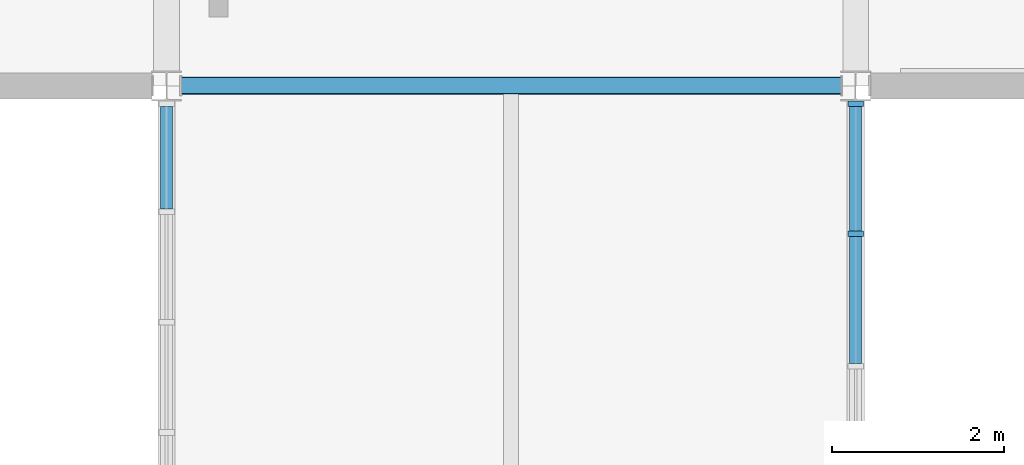
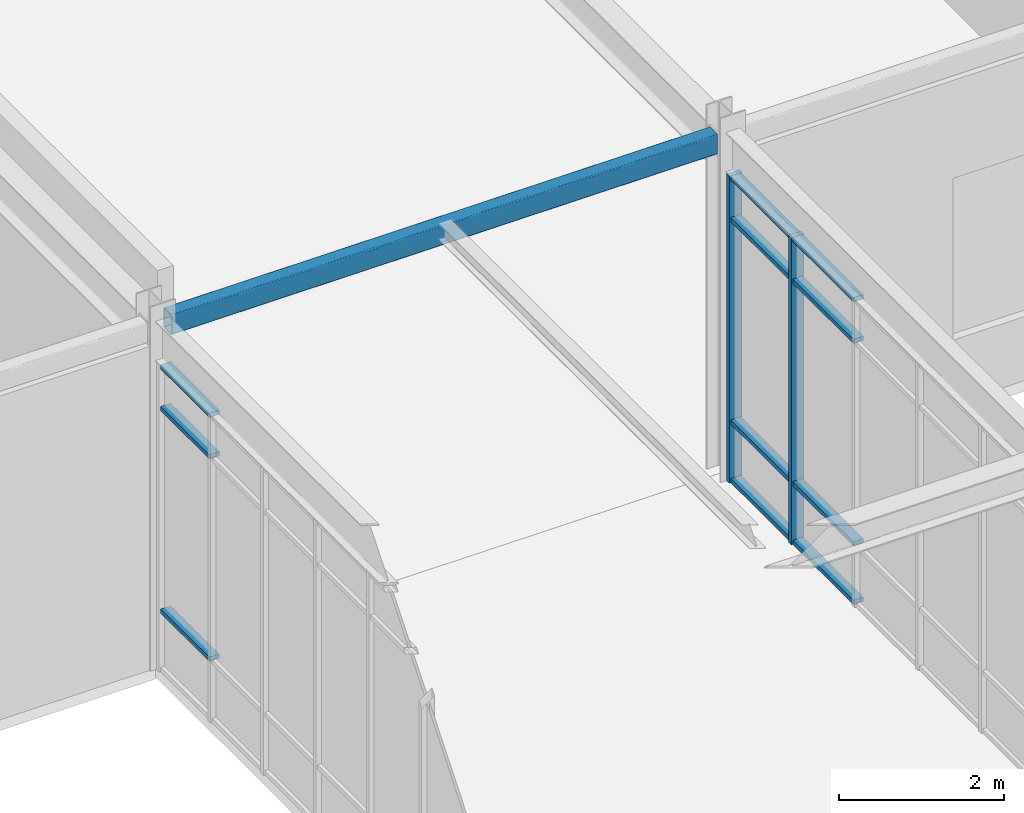
# One storey, part 60 of 184: 13 members, 1 beam, 2 elements without a shape of their own.
"""IFC4 building model written with IfcOpenShell, lengths in metres."""

from ifc_helpers import new_model, si_unit, direction, frame, origin, origin_2d, place, context, subcontext, project, spatial, rectangle, hollow_rectangle, extrude, material, material_profile, profile_set, type_object, element, aggregate, save


model = new_model("IFC4")

# Units and contexts
model_context = context("Model", 3, precision=1e-05, world=origin(), true_north=direction((0.0, 1.0)))
body_context = subcontext(model_context, "Body", "Model", "MODEL_VIEW")
ifc_project = project(units=[si_unit("LENGTHUNIT", "METRE"), si_unit("AREAUNIT", "SQUARE_METRE"), si_unit("VOLUMEUNIT", "CUBIC_METRE"), si_unit("PLANEANGLEUNIT", "RADIAN"), si_unit("MASSUNIT", "GRAM", prefix="KILO")], contexts=[model_context])

# Site, building, storey
site_placement = place(None, origin())
site = spatial("IfcSite", under=ifc_project, at=site_placement, CompositionType="ELEMENT")
building_placement = place(site_placement, origin())
building = spatial("IfcBuilding", under=site, at=building_placement, Name="Zhaolan Boulevard Law Courts", CompositionType="ELEMENT")
storey_placement = place(building_placement, frame((0.0, 0.0, 5.39990234375)))
storey = spatial("IfcBuildingStorey", under=building, at=storey_placement, Name="L01", CompositionType="ELEMENT", Elevation=5.39990234375)

# Curtain wall, members
ifc_material_1 = material(Name="Thermally broken aluminium and low-E glazing", Category="aluminium")
curtain_wall_type_1 = type_object("IfcCurtainWallType", Name="CURTAIN WALL M9", PredefinedType="USERDEFINED", material=ifc_material_1)
curtain_wall_1_placement = place(storey_placement, origin())
curtain_wall_1 = element("IfcCurtainWall", 1, at=curtain_wall_1_placement, inside=storey, type_object=curtain_wall_type_1, Name="Curtain Wall CW-L01-081", ObjectType="CURTAIN WALL", PredefinedType="USERDEFINED")
ifc_material_2 = material(Name="Fluorocarbon-coated aluminium 6063-T6", Category="aluminium")
ifc_material_profile_1 = material_profile(ifc_material_2, rectangle(XDim=0.179931640625, YDim=0.06494140625, at=origin_2d()), Name="AL65x180")
ifc_profile_set_1 = profile_set([ifc_material_profile_1], Name="Fluorocarbon-coated aluminium 6063-T6")
member_type_1 = type_object("IfcMemberType", Name="CWMULLION 65X180", PredefinedType="MULLION", material=ifc_profile_set_1)
member_1_placement = place(storey_placement, frame((124.0, 60.28369140625, 0.0), z_axis=(0.0, 0.0, 1.0), x_axis=(-1.0, 0.0, 0.0)))
member_1 = element("IfcMember", 2, at=member_1_placement, type_object=member_type_1, Name="CW-L01-081 mullion 5", PredefinedType="MULLION", context=body_context, shape_type="SweptSolid", body=[
    extrude(rectangle(XDim=0.179931640625, YDim=0.06494140625, at=origin_2d()), origin(), (0.0, 0.0, 1.0), 4.552978515625),
])
member_2_placement = place(storey_placement, frame((124.0, 61.79052734375, 0.0), z_axis=(0.0, 0.0, 1.0), x_axis=(-1.0, 0.0, 0.0)))
member_2 = element("IfcMember", 3, at=member_2_placement, type_object=member_type_1, Name="CW-L01-081 mullion 6", PredefinedType="MULLION", context=body_context, shape_type="SweptSolid", body=[
    extrude(rectangle(XDim=0.179931640625, YDim=0.06494140625, at=origin_2d()), origin(), (0.0, 0.0, 1.0), 4.552978515625),
])

ifc_material_3 = material(Name="Thermally broken aluminium and low-E glazing", Category="aluminium")
curtain_wall_type_2 = type_object("IfcCurtainWallType", Name="CURTAIN WALL M5", PredefinedType="USERDEFINED", material=ifc_material_3)
curtain_wall_2_placement = place(storey_placement, origin())
curtain_wall_2 = element("IfcCurtainWall", 4, at=curtain_wall_2_placement, inside=storey, type_object=curtain_wall_type_2, Name="Curtain Wall CW-L01-077", ObjectType="CURTAIN WALL", PredefinedType="USERDEFINED")
ifc_material_4 = material(Name="Fluorocarbon-coated aluminium 6063-T6", Category="aluminium")
ifc_material_profile_2 = material_profile(ifc_material_4, rectangle(XDim=0.139892578125, YDim=0.06494140625, at=origin_2d()), Name="AL65x140")
ifc_profile_set_2 = profile_set([ifc_material_profile_2], Name="Fluorocarbon-coated aluminium 6063-T6")
member_type_2 = type_object("IfcMemberType", Name="CWTRANSOM 65X140", PredefinedType="USERDEFINED", material=ifc_profile_set_2)
member_3_placement = place(storey_placement, frame((116.0, 61.758056640625, 0.900146484375), z_axis=(0.0, -1.0, 0.0), x_axis=(1.0, 0.0, 0.0)))
member_3 = element("IfcMember", 5, at=member_3_placement, type_object=member_type_2, Name="CW-L01-077 transom 1.2", ObjectType="TRANSOM", PredefinedType="USERDEFINED", context=body_context, shape_type="SweptSolid", body=[
    extrude(rectangle(XDim=0.139892578125, YDim=0.06494140625, at=origin_2d()), origin(), (0.0, 0.0, 1.0), 1.185302734375),
])
member_4_placement = place(storey_placement, frame((116.0, 61.758056640625, 3.903076171875), z_axis=(0.0, -1.0, 0.0), x_axis=(1.0, 0.0, 0.0)))
member_4 = element("IfcMember", 6, at=member_4_placement, type_object=member_type_2, Name="CW-L01-077 transom 1.3", ObjectType="TRANSOM", PredefinedType="USERDEFINED", context=body_context, shape_type="SweptSolid", body=[
    extrude(rectangle(XDim=0.139892578125, YDim=0.06494140625, at=origin_2d()), origin(), (0.0, 0.0, 1.0), 1.185302734375),
])
member_5_placement = place(storey_placement, frame((116.0, 61.758056640625, 4.5205078125), z_axis=(0.0, -1.0, 0.0), x_axis=(1.0, 0.0, 0.0)))
member_5 = element("IfcMember", 7, at=member_5_placement, type_object=member_type_2, Name="CW-L01-077 transom 1.4", ObjectType="TRANSOM", PredefinedType="USERDEFINED", context=body_context, shape_type="SweptSolid", body=[
    extrude(rectangle(XDim=0.139892578125, YDim=0.06494140625, at=origin_2d()), origin(), (0.0, 0.0, 1.0), 1.185302734375),
])
aggregate(curtain_wall_2, [member_3, member_4, member_5])

# Member
member_6_placement = place(storey_placement, frame((124.0, 58.777099609375, 0.03271484375), z_axis=(0.0, 1.0, 0.0), x_axis=(-1.0, 0.0, 0.0)))
member_6 = element("IfcMember", 8, at=member_6_placement, type_object=member_type_2, Name="CW-L01-081 transom 4.1", ObjectType="TRANSOM", PredefinedType="USERDEFINED", context=body_context, shape_type="SweptSolid", body=[
    extrude(rectangle(XDim=0.139892578125, YDim=0.06494140625, at=origin_2d()), origin(), (0.0, 0.0, 1.0), 1.47412109375),
])

member_7_placement = place(storey_placement, frame((124.0, 58.777099609375, 0.900146484375), z_axis=(0.0, 1.0, 0.0), x_axis=(-1.0, 0.0, 0.0)))
member_7 = element("IfcMember", 9, at=member_7_placement, type_object=member_type_2, Name="CW-L01-081 transom 4.2", ObjectType="TRANSOM", PredefinedType="USERDEFINED", context=body_context, shape_type="SweptSolid", body=[
    extrude(rectangle(XDim=0.139892578125, YDim=0.06494140625, at=origin_2d()), origin(), (0.0, 0.0, 1.0), 1.47412109375),
])

member_8_placement = place(storey_placement, frame((124.0, 58.777099609375, 3.903076171875), z_axis=(0.0, 1.0, 0.0), x_axis=(-1.0, 0.0, 0.0)))
member_8 = element("IfcMember", 10, at=member_8_placement, type_object=member_type_2, Name="CW-L01-081 transom 4.3", ObjectType="TRANSOM", PredefinedType="USERDEFINED", context=body_context, shape_type="SweptSolid", body=[
    extrude(rectangle(XDim=0.139892578125, YDim=0.06494140625, at=origin_2d()), origin(), (0.0, 0.0, 1.0), 1.47412109375),
])

member_9_placement = place(storey_placement, frame((124.0, 58.777099609375, 4.5205078125), z_axis=(0.0, 1.0, 0.0), x_axis=(-1.0, 0.0, 0.0)))
member_9 = element("IfcMember", 11, at=member_9_placement, type_object=member_type_2, Name="CW-L01-081 transom 4.4", ObjectType="TRANSOM", PredefinedType="USERDEFINED", context=body_context, shape_type="SweptSolid", body=[
    extrude(rectangle(XDim=0.139892578125, YDim=0.06494140625, at=origin_2d()), origin(), (0.0, 0.0, 1.0), 1.47412109375),
])

member_10_placement = place(storey_placement, frame((124.0, 60.31640625, 0.03271484375), z_axis=(0.0, 1.0, 0.0), x_axis=(-1.0, 0.0, 0.0)))
member_10 = element("IfcMember", 12, at=member_10_placement, type_object=member_type_2, Name="CW-L01-081 transom 5.1", ObjectType="TRANSOM", PredefinedType="USERDEFINED", context=body_context, shape_type="SweptSolid", body=[
    extrude(rectangle(XDim=0.139892578125, YDim=0.06494140625, at=origin_2d()), origin(), (0.0, 0.0, 1.0), 1.441650390625),
])

member_11_placement = place(storey_placement, frame((124.0, 60.31640625, 0.900146484375), z_axis=(0.0, 1.0, 0.0), x_axis=(-1.0, 0.0, 0.0)))
member_11 = element("IfcMember", 13, at=member_11_placement, type_object=member_type_2, Name="CW-L01-081 transom 5.2", ObjectType="TRANSOM", PredefinedType="USERDEFINED", context=body_context, shape_type="SweptSolid", body=[
    extrude(rectangle(XDim=0.139892578125, YDim=0.06494140625, at=origin_2d()), origin(), (0.0, 0.0, 1.0), 1.441650390625),
])

member_12_placement = place(storey_placement, frame((124.0, 60.31640625, 3.903076171875), z_axis=(0.0, 1.0, 0.0), x_axis=(-1.0, 0.0, 0.0)))
member_12 = element("IfcMember", 14, at=member_12_placement, type_object=member_type_2, Name="CW-L01-081 transom 5.3", ObjectType="TRANSOM", PredefinedType="USERDEFINED", context=body_context, shape_type="SweptSolid", body=[
    extrude(rectangle(XDim=0.139892578125, YDim=0.06494140625, at=origin_2d()), origin(), (0.0, 0.0, 1.0), 1.441650390625),
])

member_13_placement = place(storey_placement, frame((124.0, 60.31640625, 4.5205078125), z_axis=(0.0, 1.0, 0.0), x_axis=(-1.0, 0.0, 0.0)))
member_13 = element("IfcMember", 15, at=member_13_placement, type_object=member_type_2, Name="CW-L01-081 transom 5.4", ObjectType="TRANSOM", PredefinedType="USERDEFINED", context=body_context, shape_type="SweptSolid", body=[
    extrude(rectangle(XDim=0.139892578125, YDim=0.06494140625, at=origin_2d()), origin(), (0.0, 0.0, 1.0), 1.441650390625),
])

aggregate(curtain_wall_1, [member_1, member_2, member_6, member_7, member_8, member_9, member_10, member_11, member_12, member_13])

# Beam
ifc_material_5 = material(Name="Structural steel Q355B", Category="steel")
ifc_material_profile_3 = material_profile(ifc_material_5, hollow_rectangle(XDim=0.199951171875, YDim=0.300048828125, WallThickness=0.011962890625, InnerFilletRadius=0.011962890625, OuterFilletRadius=0.02392578125, at=origin_2d()), Name="HSS300x200x12")
ifc_profile_set_3 = profile_set([ifc_material_profile_3], Name="Structural steel Q355B")
beam_type = type_object("IfcBeamType", Name="SPANDREL HSS300", PredefinedType="SPANDREL", material=ifc_profile_set_3)
beam_placement = place(storey_placement, frame((116.1708984375, 62.0, 4.968017578125), z_axis=(1.0, 0.0, 0.0), x_axis=(0.0, 1.0, 0.0)))
element("IfcBeam", 16, at=beam_placement, inside=storey, type_object=beam_type, Name="Beam BX-L02-15-16-J", PredefinedType="SPANDREL", context=body_context, shape_type="SweptSolid", body=[
    extrude(hollow_rectangle(XDim=0.199951171875, YDim=0.300048828125, WallThickness=0.011962890625, InnerFilletRadius=0.011962890625, OuterFilletRadius=0.02392578125, at=origin_2d()), origin(), (0.0, 0.0, 1.0), 7.658203125),
])

save(model, "model.ifc")
